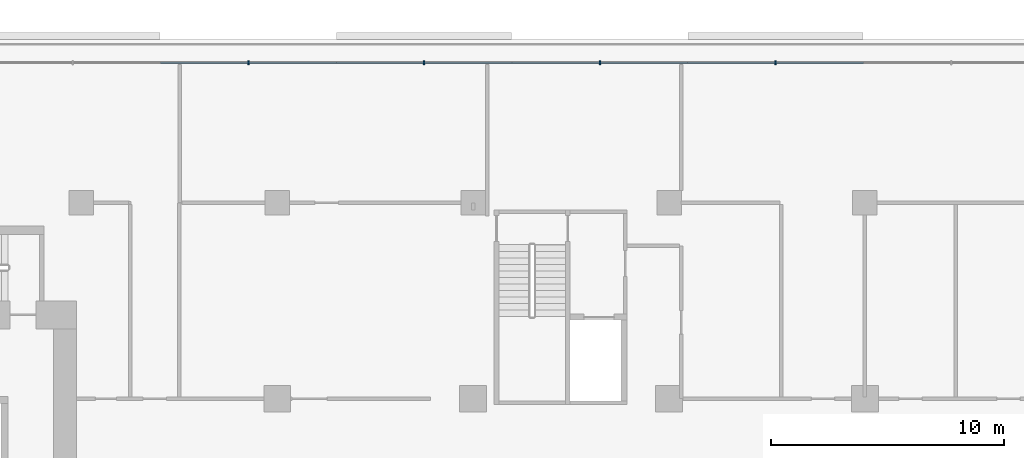
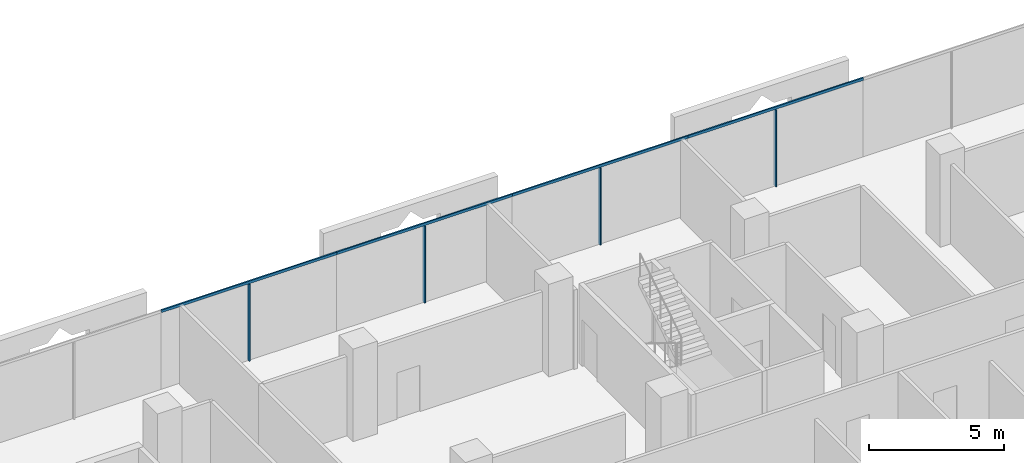
# One storey, part 9 of 25: 8 members, 1 element without a shape of its own.
"""IFC4 building model written with IfcOpenShell, lengths in metres."""

import ifcopenshell
import ifcopenshell.guid

model = None  # the IFC model being written
_history = None  # IfcOwnerHistory: only IFC2X3 demands one
_inside = {}  # id of a spatial element -> (the spatial element, [elements in it])
_under = {}  # id of a project, library or spatial element -> (it, [spatial elements below it])
_declared = {}  # id of a project -> (the project, [libraries it declares])
_typed = {}  # id of a type object -> (the type object, [elements of that type])
_made_of = {}  # id of a material, layer set ... -> (it, [elements and type objects made of it])


def new_model(schema):
    """Start an empty IFC model of exactly this schema.

    Asked for "IFC4X3", IfcOpenShell would pick the latest addendum, in which some entities
    have other attributes; the version numbers below select the first issue.
    IFC2X3 requires an IfcOwnerHistory on every rooted entity: one is made here for all.
    """
    global model, _history
    if schema == "IFC4X3":
        model = ifcopenshell.file(schema_version=(4, 3, 0, 0))
    else:
        model = ifcopenshell.file(schema=schema)
    _inside.clear()
    _under.clear()
    _declared.clear()
    _typed.clear()
    _made_of.clear()
    _history = None
    if model.schema == "IFC2X3":
        org = make("IfcOrganization", Name="unknown")
        user = make(
            "IfcPersonAndOrganization",
            ThePerson=make("IfcPerson", FamilyName="unknown"),
            TheOrganization=org,
        )
        app = make(
            "IfcApplication",
            ApplicationDeveloper=org,
            Version="unknown",
            ApplicationFullName="unknown",
            ApplicationIdentifier="unknown",
        )
        _history = make(
            "IfcOwnerHistory",
            OwningUser=user,
            OwningApplication=app,
            ChangeAction="ADDED",
            CreationDate=0,
        )
    return model


def make(cls, **values):
    """One entity of the class cls with the attributes given. An attribute that is None is left unset."""
    return model.create_entity(
        cls, **{name: value for name, value in values.items() if value is not None}
    )


def rooted(cls, **values):
    """An entity with a GlobalId (a new one), such as an element, a storey or a relation."""
    return make(cls, GlobalId=ifcopenshell.guid.new(), OwnerHistory=_history, **values)


def si_unit(unit_type, name, prefix=None):
    """IfcSIUnit, for example si_unit("LENGTHUNIT", "METRE", prefix="MILLI")."""
    return make("IfcSIUnit", UnitType=unit_type, Prefix=prefix, Name=name)


def assignment(units):
    """IfcUnitAssignment: the units of a project."""
    return None if units is None else make("IfcUnitAssignment", Units=units)


def point(xyz):
    """IfcCartesianPoint."""
    return None if xyz is None else make("IfcCartesianPoint", Coordinates=xyz)


def direction(xyz):
    """IfcDirection."""
    return None if xyz is None else make("IfcDirection", DirectionRatios=xyz)


def frame(location, z_axis=None, x_axis=None):
    """IfcAxis2Placement3D, a coordinate frame: its origin and axes. An axis left out is left unset."""
    return make(
        "IfcAxis2Placement3D",
        Location=point(location),
        Axis=direction(z_axis),
        RefDirection=direction(x_axis),
    )


def frame_2d(location, x_axis=None):
    """IfcAxis2Placement2D, a coordinate frame in the plane: its origin and x axis."""
    return make(
        "IfcAxis2Placement2D", Location=point(location), RefDirection=direction(x_axis)
    )


def origin():
    """The frame at (0, 0, 0) with its axes left unset."""
    return frame((0.0, 0.0, 0.0))


def origin_2d():
    """The frame at (0, 0) in the plane with its x axis left unset."""
    return frame_2d((0.0, 0.0))


def place(relative_to, where):
    """IfcLocalPlacement: puts the frame where relative to a parent placement (None: the world)."""
    return make(
        "IfcLocalPlacement", PlacementRelTo=relative_to, RelativePlacement=where
    )


def context(
    kind, dimensions, precision=None, world=None, true_north=None, identifier=None
):
    """IfcGeometricRepresentationContext, for example the 3D "Model" context."""
    return make(
        "IfcGeometricRepresentationContext",
        ContextIdentifier=identifier,
        ContextType=kind,
        CoordinateSpaceDimension=dimensions,
        Precision=precision,
        WorldCoordinateSystem=world,
        TrueNorth=true_north,
    )


def subcontext(parent, identifier, kind, view, scale=None):
    """IfcGeometricRepresentationSubContext, for example "Body" below "Model"."""
    return make(
        "IfcGeometricRepresentationSubContext",
        ContextIdentifier=identifier,
        ContextType=kind,
        ParentContext=parent,
        TargetScale=scale,
        TargetView=view,
    )


def project(units=None, contexts=None):
    """IfcProject with its units and contexts."""
    return rooted(
        "IfcProject",
        Name="project",
        RepresentationContexts=contexts,
        UnitsInContext=assignment(units),
    )


def spatial(cls, under=None, at=None, **own):
    """A site, building, storey or space (cls), placed at a placement, below another one or the project."""
    s = rooted(cls, ObjectPlacement=at, **own)
    if under is not None:
        _under.setdefault(under.id(), (under, []))[1].append(s)
    return s


def profile(cls, at=None, kind="AREA", **sizes):
    """A parametric profile (cls). Its sizes go by their IFC names, for example OverallWidth=200.0."""
    return make(cls, ProfileType=kind, Position=at, **sizes)


def rectangle(**sizes):
    """IfcRectangleProfileDef."""
    return profile("IfcRectangleProfileDef", **sizes)


def extrude(swept, where, along, depth):
    """IfcExtrudedAreaSolid: the profile swept, set in the frame where, extruded along a direction by depth."""
    return make(
        "IfcExtrudedAreaSolid",
        SweptArea=swept,
        Position=where,
        ExtrudedDirection=direction(along),
        Depth=depth,
    )


def shape(context_of_items, identifier, shape_type, items):
    """IfcShapeRepresentation: the items that make up one representation, for example the "Body"."""
    return make(
        "IfcShapeRepresentation",
        ContextOfItems=context_of_items,
        RepresentationIdentifier=identifier,
        RepresentationType=shape_type,
        Items=items,
    )


def material(Name=None, Category=None):
    """IfcMaterial."""
    return make("IfcMaterial", Name=Name, Category=Category)


def layer(
    of_material, thickness, ventilated=None, Name=None, Category=None, Priority=None
):
    """IfcMaterialLayer: one layer of a wall or slab, of a material (None: an air gap)."""
    return make(
        "IfcMaterialLayer",
        Material=of_material,
        LayerThickness=thickness,
        IsVentilated=ventilated,
        Name=Name,
        Category=Category,
        Priority=Priority,
    )


def layer_set(layers, Name=None):
    """IfcMaterialLayerSet."""
    return make("IfcMaterialLayerSet", MaterialLayers=layers, LayerSetName=Name)


def material_profile(
    of_material, cross_section, Name=None, Category=None, Priority=None
):
    """IfcMaterialProfile: a cross section and its material."""
    return make(
        "IfcMaterialProfile",
        Name=Name,
        Material=of_material,
        Profile=cross_section,
        Priority=Priority,
        Category=Category,
    )


def profile_set(profiles, Name=None, composite=None):
    """IfcMaterialProfileSet."""
    return make(
        "IfcMaterialProfileSet",
        Name=Name,
        MaterialProfiles=profiles,
        CompositeProfile=composite,
    )


def made_of(thing, what):
    """Note that an element or type object is made of a material, layer set ...; save() writes the relation."""
    if what is not None:
        _made_of.setdefault(what.id(), (what, []))[1].append(thing)
    return thing


def type_object(cls, material=None, **own):
    """A type object (cls), such as IfcWallType, which elements share."""
    return made_of(rooted(cls, **own), material)


def element(
    cls,
    number,
    at=None,
    inside=None,
    cuts=None,
    type_object=None,
    material=None,
    context=None,
    identifier="Body",
    shape_type=None,
    held_by="IfcProductDefinitionShape",
    body=None,
    shapes=None,
    **own,
):
    """One element of the class cls, such as IfcWall. Its Tag is "e" and its number.

    at: its placement. inside: the storey or other place that contains it. cuts: it is an
    opening in that element (IfcRelVoidsElement). A single representation is given by context,
    identifier, shape_type and body (its items); several are given by shapes. held_by: the class
    of the entity that holds the representations. save() writes the other relations.
    """
    e = rooted(cls, Tag="e%d" % number, ObjectPlacement=at, **own)
    if body is not None:
        shapes = [shape(context, identifier, shape_type, body)]
    if shapes is not None:
        e.Representation = make(held_by, Representations=shapes)
    if inside is not None:
        _inside.setdefault(inside.id(), (inside, []))[1].append(e)
    if cuts is not None:
        rooted(
            "IfcRelVoidsElement", RelatingBuildingElement=cuts, RelatedOpeningElement=e
        )
    if type_object is not None:
        _typed.setdefault(type_object.id(), (type_object, []))[1].append(e)
    return made_of(e, material)


def aggregate(whole, parts):
    """IfcRelAggregates: a whole, such as a stair, and the parts it consists of."""
    return rooted("IfcRelAggregates", RelatingObject=whole, RelatedObjects=parts)


def save(model, path):
    """Write the relations noted so far, then the file.

    IfcRelAggregates (storeys below a building ...), IfcRelContainedInSpatialStructure (elements
    in a storey), IfcRelDefinesByType, IfcRelAssociatesMaterial and IfcRelDeclares: one each for
    every whole, place, type object, material and project.
    """
    for whole, parts in _under.values():
        aggregate(whole, parts)
    for where, things in _inside.values():
        rooted(
            "IfcRelContainedInSpatialStructure",
            RelatedElements=things,
            RelatingStructure=where,
        )
    for kind, things in _typed.values():
        rooted("IfcRelDefinesByType", RelatedObjects=things, RelatingType=kind)
    for what, things in _made_of.values():
        rooted("IfcRelAssociatesMaterial", RelatedObjects=things, RelatingMaterial=what)
    for by, libraries in _declared.values():
        rooted("IfcRelDeclares", RelatingContext=by, RelatedDefinitions=libraries)
    model.write(path)


model = new_model("IFC4")

# Units and contexts
model_context = context("Model", 3, precision=1e-05, world=origin(), true_north=direction((0.0, 1.0)))
body_context = subcontext(model_context, "Body", "Model", "MODEL_VIEW")
ifc_project = project(units=[si_unit("LENGTHUNIT", "METRE"), si_unit("AREAUNIT", "SQUARE_METRE"), si_unit("VOLUMEUNIT", "CUBIC_METRE"), si_unit("PLANEANGLEUNIT", "RADIAN"), si_unit("MASSUNIT", "GRAM", prefix="KILO")], contexts=[model_context])

# Site, building, storey
site_placement = place(None, origin())
site = spatial("IfcSite", under=ifc_project, at=site_placement, CompositionType="ELEMENT")
building_placement = place(site_placement, origin())
building = spatial("IfcBuilding", under=site, at=building_placement, Name="Kawkab Arch Medical Tower", CompositionType="ELEMENT")
storey_placement = place(building_placement, frame((0.0, 0.0, 98.800048828125)))
storey = spatial("IfcBuildingStorey", under=building, at=storey_placement, Name="L22", CompositionType="ELEMENT", Elevation=98.800048828125)

# Curtain wall, members
ifc_material_1 = material(Name="Bronze anodised aluminium curtain wall frame", Category="aluminium")
ifc_layer = layer(ifc_material_1, 0.159912109375)
ifc_layer_set = layer_set([ifc_layer], Name="Bronze anodised aluminium curtain wall frame")
curtain_wall_type = type_object("IfcCurtainWallType", Name="CW1 ward curtain wall", PredefinedType="NOTDEFINED", material=ifc_layer_set)
curtain_wall_placement = place(storey_placement, origin())
curtain_wall = element("IfcCurtainWall", 1, at=curtain_wall_placement, inside=storey, type_object=curtain_wall_type, Name="CW1 Ward curtain wall R11", PredefinedType="NOTDEFINED")
ifc_material_2 = material(Name="Bronze anodised aluminium curtain wall frame", Category="aluminium")
ifc_material_profile_1 = material_profile(ifc_material_2, rectangle(XDim=0.179931640625, YDim=0.06005859375, at=origin_2d()), Name="AL 60x180")
ifc_profile_set_1 = profile_set([ifc_material_profile_1], Name="Bronze anodised aluminium curtain wall frame")
member_type_1 = type_object("IfcMemberType", Name="CW1 mullion 60 x 180", PredefinedType="MULLION", material=ifc_profile_set_1)
member_1_placement = place(storey_placement, frame((54.966552734375, 6.0, 0.0), z_axis=(0.0, 0.0, 1.0), x_axis=(0.0, -1.0, 0.0)))
member_1 = element("IfcMember", 2, at=member_1_placement, type_object=member_type_1, Name="CW1 mullion 3.1", PredefinedType="MULLION", context=body_context, shape_type="SweptSolid", body=[
    extrude(rectangle(XDim=0.179931640625, YDim=0.06005859375, at=origin_2d()), origin(), (0.0, 0.0, 1.0), 3.47998046875),
])
member_2_placement = place(storey_placement, frame((47.433349609375, 6.0, 0.0), z_axis=(0.0, 0.0, 1.0), x_axis=(0.0, -1.0, 0.0)))
member_2 = element("IfcMember", 3, at=member_2_placement, type_object=member_type_1, Name="CW1 mullion 4.1", PredefinedType="MULLION", context=body_context, shape_type="SweptSolid", body=[
    extrude(rectangle(XDim=0.179931640625, YDim=0.06005859375, at=origin_2d()), origin(), (0.0, 0.0, 1.0), 3.47998046875),
])
member_3_placement = place(storey_placement, frame((39.89990234375, 6.0, 0.0), z_axis=(0.0, 0.0, 1.0), x_axis=(0.0, -1.0, 0.0)))
member_3 = element("IfcMember", 4, at=member_3_placement, type_object=member_type_1, Name="CW1 mullion 5.1", PredefinedType="MULLION", context=body_context, shape_type="SweptSolid", body=[
    extrude(rectangle(XDim=0.179931640625, YDim=0.06005859375, at=origin_2d()), origin(), (0.0, 0.0, 1.0), 3.47998046875),
])
member_4_placement = place(storey_placement, frame((32.36669921875, 6.0, 0.0), z_axis=(0.0, 0.0, 1.0), x_axis=(0.0, -1.0, 0.0)))
member_4 = element("IfcMember", 5, at=member_4_placement, type_object=member_type_1, Name="CW1 mullion 6.1", PredefinedType="MULLION", context=body_context, shape_type="SweptSolid", body=[
    extrude(rectangle(XDim=0.179931640625, YDim=0.06005859375, at=origin_2d()), origin(), (0.0, 0.0, 1.0), 3.47998046875),
])
ifc_material_3 = material(Name="Bronze anodised aluminium curtain wall frame", Category="aluminium")
ifc_material_profile_2 = material_profile(ifc_material_3, rectangle(XDim=0.06005859375, YDim=0.1201171875, at=origin_2d()), Name="AL 60x120")
ifc_profile_set_2 = profile_set([ifc_material_profile_2], Name="Bronze anodised aluminium curtain wall frame")
member_type_2 = type_object("IfcMemberType", Name="CW1 transom 120 x 60", PredefinedType="USERDEFINED", material=ifc_profile_set_2)
member_5_placement = place(storey_placement, frame((58.7333984375, 6.0, 3.5400390625), z_axis=(-1.0, 0.0, 0.0), x_axis=(0.0, -1.0, 0.0)))
member_5 = element("IfcMember", 6, at=member_5_placement, type_object=member_type_2, Name="CW1 transom 3", ObjectType="TRANSOM", PredefinedType="USERDEFINED", context=body_context, shape_type="SweptSolid", body=[
    extrude(rectangle(XDim=0.06005859375, YDim=0.1201171875, at=origin_2d()), origin(), (0.0, 0.0, 1.0), 7.533447265625),
])
member_6_placement = place(storey_placement, frame((51.199951171875, 6.0, 3.5400390625), z_axis=(-1.0, 0.0, 0.0), x_axis=(0.0, -1.0, 0.0)))
member_6 = element("IfcMember", 7, at=member_6_placement, type_object=member_type_2, Name="CW1 transom 4", ObjectType="TRANSOM", PredefinedType="USERDEFINED", context=body_context, shape_type="SweptSolid", body=[
    extrude(rectangle(XDim=0.06005859375, YDim=0.1201171875, at=origin_2d()), origin(), (0.0, 0.0, 1.0), 7.533203125),
])
member_7_placement = place(storey_placement, frame((43.666748046875, 6.0, 3.5400390625), z_axis=(-1.0, 0.0, 0.0), x_axis=(0.0, -1.0, 0.0)))
member_7 = element("IfcMember", 8, at=member_7_placement, type_object=member_type_2, Name="CW1 transom 5", ObjectType="TRANSOM", PredefinedType="USERDEFINED", context=body_context, shape_type="SweptSolid", body=[
    extrude(rectangle(XDim=0.06005859375, YDim=0.1201171875, at=origin_2d()), origin(), (0.0, 0.0, 1.0), 7.533447265625),
])
member_8_placement = place(storey_placement, frame((36.13330078125, 6.0, 3.5400390625), z_axis=(-1.0, 0.0, 0.0), x_axis=(0.0, -1.0, 0.0)))
member_8 = element("IfcMember", 9, at=member_8_placement, type_object=member_type_2, Name="CW1 transom 6", ObjectType="TRANSOM", PredefinedType="USERDEFINED", context=body_context, shape_type="SweptSolid", body=[
    extrude(rectangle(XDim=0.06005859375, YDim=0.1201171875, at=origin_2d()), origin(), (0.0, 0.0, 1.0), 7.533203125),
])
aggregate(curtain_wall, [member_5, member_1, member_6, member_2, member_7, member_3, member_8, member_4])

save(model, "model.ifc")
